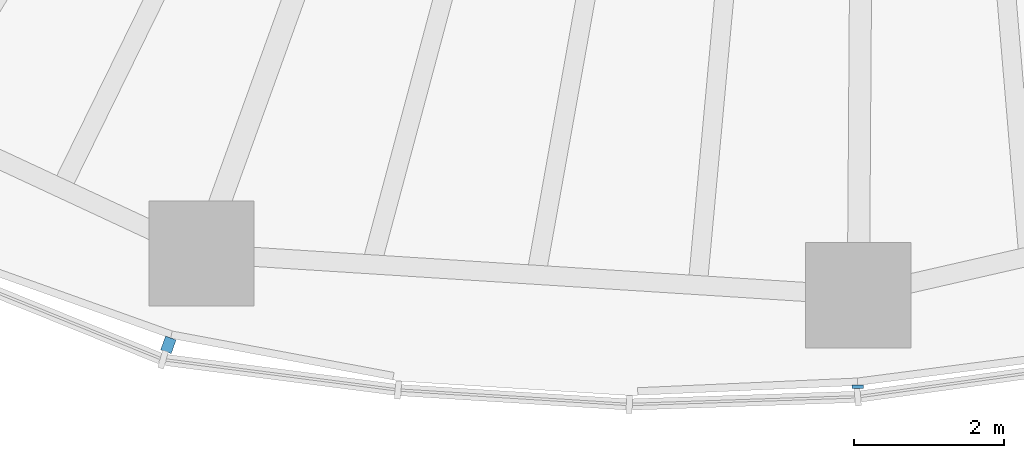
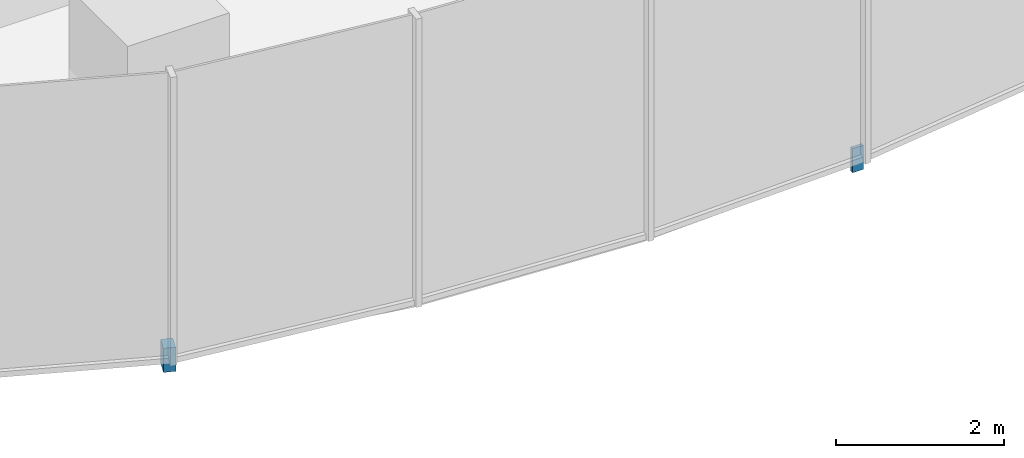
# One storey, part 12 of 18: 2 discrete accessories.
"""IFC4 building model written with IfcOpenShell, lengths in metres."""

from ifc_helpers import new_model, si_unit, direction, frame, origin, origin_2d, place, context, subcontext, project, spatial, rectangle, extrude, material, type_object, element, save


model = new_model("IFC4")

# Units and contexts
model_context = context("Model", 3, precision=1e-05, world=origin(), true_north=direction((0.0, 1.0)))
body_context = subcontext(model_context, "Body", "Model", "MODEL_VIEW")
ifc_project = project(units=[si_unit("LENGTHUNIT", "METRE"), si_unit("AREAUNIT", "SQUARE_METRE"), si_unit("VOLUMEUNIT", "CUBIC_METRE"), si_unit("PLANEANGLEUNIT", "RADIAN"), si_unit("MASSUNIT", "GRAM", prefix="KILO")], contexts=[model_context])

# Site, building, storey
site_placement = place(None, origin())
site = spatial("IfcSite", under=ifc_project, at=site_placement, CompositionType="ELEMENT")
building_placement = place(site_placement, origin())
building = spatial("IfcBuilding", under=site, at=building_placement, Name="Ghaith Harvest Tower", CompositionType="ELEMENT")
storey_placement = place(building_placement, frame((0.0, 0.0, 163.800048828125)))
storey = spatial("IfcBuildingStorey", under=building, at=storey_placement, Name="L35", CompositionType="ELEMENT", Elevation=163.800048828125)

# Discrete accessories
ifc_material_1 = material(Name="Stainless steel grade 1.4401", Category="steel")
discrete_accessory_type_1 = type_object("IfcDiscreteAccessoryType", Name="CURTAIN WALL BRACKET 195", PredefinedType="BRACKET", material=ifc_material_1)
discrete_accessory_1_placement = place(storey_placement, frame((-9.348388671875, -25.883544921875, -0.25), z_axis=(0.0, 0.0, 1.0), x_axis=(-0.33969945263, -0.940534040789, 0.0)))
element("IfcDiscreteAccessory", 1, at=discrete_accessory_1_placement, inside=storey, type_object=discrete_accessory_type_1, Name="CW-L bracket 1 bay 15 L35", PredefinedType="BRACKET", context=body_context, shape_type="SweptSolid", body=[
    extrude(rectangle(XDim=0.195068359375, YDim=0.14990234375, at=origin_2d()), origin(), (0.0, 0.0, 1.0), 0.35009765625),
])
ifc_material_2 = material(Name="Stainless steel grade 1.4401", Category="steel")
discrete_accessory_type_2 = type_object("IfcDiscreteAccessoryType", Name="CURTAIN WALL BRACKET 45", PredefinedType="BRACKET", material=ifc_material_2)
discrete_accessory_2_placement = place(storey_placement, frame((-0.180908203125, -26.441162109375, -0.25), z_axis=(0.0, 0.0, 1.0), x_axis=(-0.006843747957, -0.999976581283, 0.0)))
element("IfcDiscreteAccessory", 2, at=discrete_accessory_2_placement, inside=storey, type_object=discrete_accessory_type_2, Name="CW-L bracket 1 bay 16 L35", PredefinedType="BRACKET", context=body_context, shape_type="SweptSolid", body=[
    extrude(rectangle(XDim=0.044921875, YDim=0.14990234375, at=origin_2d()), origin(), (0.0, 0.0, 1.0), 0.35009765625),
])

save(model, "model.ifc")
